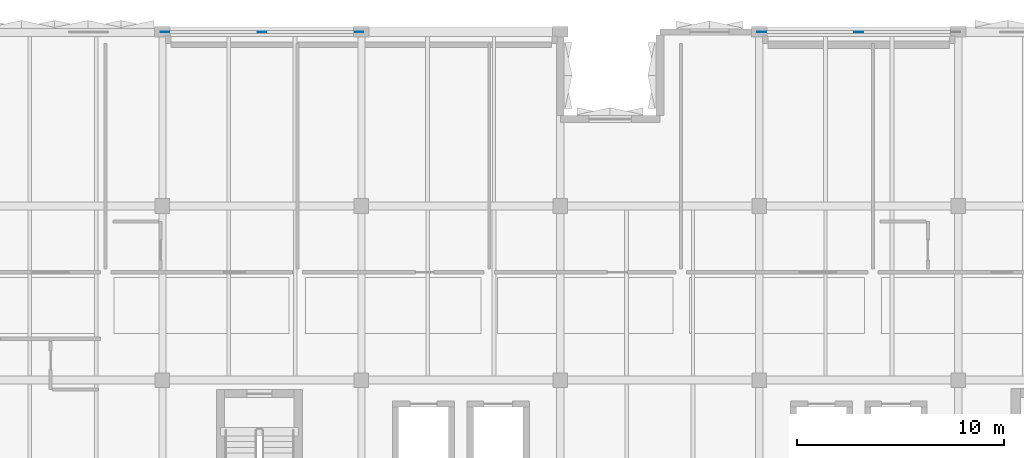
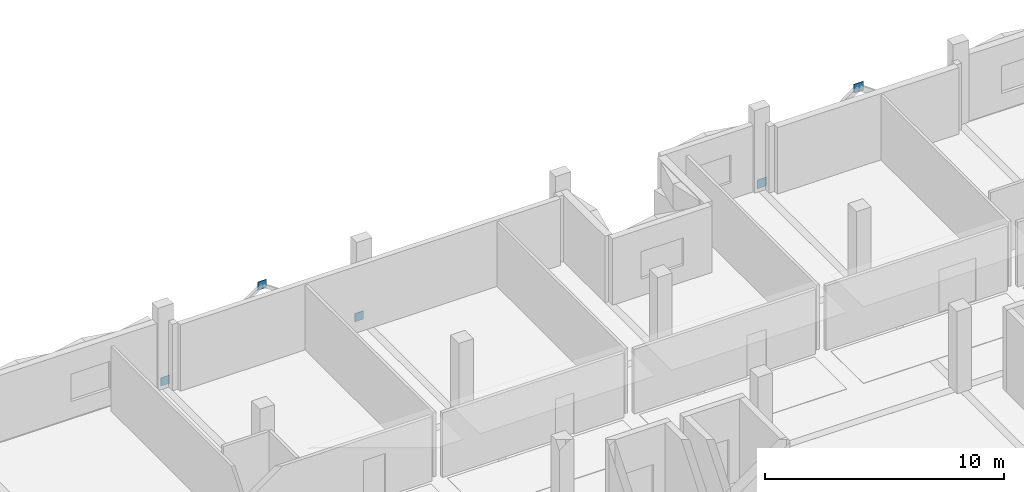
# One storey, part 10 of 24: 5 plates.
"""IFC4 building model written with IfcOpenShell, lengths in metres."""

from ifc_helpers import new_model, si_unit, direction, frame, origin, origin_2d, place, context, subcontext, project, spatial, rectangle, extrude, material, layer, layer_set, type_object, element, save


model = new_model("IFC4")

# Units and contexts
model_context = context("Model", 3, precision=1e-05, world=origin(), true_north=direction((0.0, 1.0)))
body_context = subcontext(model_context, "Body", "Model", "MODEL_VIEW")
ifc_project = project(units=[si_unit("LENGTHUNIT", "METRE"), si_unit("AREAUNIT", "SQUARE_METRE"), si_unit("VOLUMEUNIT", "CUBIC_METRE"), si_unit("PLANEANGLEUNIT", "RADIAN"), si_unit("MASSUNIT", "GRAM", prefix="KILO")], contexts=[model_context])

# Site, building, storey
site_placement = place(None, origin())
site = spatial("IfcSite", under=ifc_project, at=site_placement, CompositionType="ELEMENT")
building_placement = place(site_placement, origin())
building = spatial("IfcBuilding", under=site, at=building_placement, Name="Oolite Switchyard Hospital", CompositionType="ELEMENT")
storey_placement = place(building_placement, frame((0.0, 0.0, 22.0)))
storey = spatial("IfcBuildingStorey", under=building, at=storey_placement, Name="L05", CompositionType="ELEMENT", Elevation=22.0)

# Plates
ifc_material = material(Name="Steel ASTM A572 Grade 50", Category="steel")
ifc_layer_1 = layer(ifc_material, 0.028076171875)
ifc_layer_set_1 = layer_set([ifc_layer_1], Name="PLT-GUS-420")
plate_type_1 = type_object("IfcPlateType", Name="PLT-GUS-420", PredefinedType="SHEET", material=ifc_layer_set_1)
for number, where, z_axis, x_axis, name in (
    (1, (153.719970703125, 134.39990234375, -0.010009765625), (0.0, 0.0, 1.0), (1.0, 0.0, 0.0), "L05 Brace Base Gusset Plate 58"),
    (2, (163.080078125, 134.39990234375, -0.010009765625), (0.0, 0.0, 1.0), (1.0, 0.0, 0.0), "L05 Brace Base Gusset Plate 59"),
    (3, (158.39990234375, 134.39990234375, 3.239990234375), (0.0, 0.0, 1.0), (1.0, 0.0, 0.0), "L05 Gusset Connection Plate 60"),
):
    element("IfcPlate", number, at=place(storey_placement, frame(where, z_axis=z_axis, x_axis=x_axis)), inside=storey, type_object=plate_type_1, Name=name, PredefinedType="SHEET", context=body_context, shape_type="SweptSolid", body=[
        extrude(rectangle(XDim=0.419921875, YDim=0.028076171875, at=origin_2d()), origin(), (0.0, 0.0, 1.0), 0.419921875),
    ])
ifc_layer_2 = layer(ifc_material, 0.030029296875)
ifc_layer_set_2 = layer_set([ifc_layer_2], Name="PLT-GUS-450")
plate_type_2 = type_object("IfcPlateType", Name="PLT-GUS-450", PredefinedType="SHEET", material=ifc_layer_set_2)
for number, where, z_axis, x_axis, name in (
    (4, (182.52001953125, 134.39990234375, -0.02490234375), (0.0, 0.0, 1.0), (1.0, 0.0, 0.0), "L05 Brace Base Gusset Plate 82"),
    (5, (187.199951171875, 134.39990234375, 3.22509765625), (0.0, 0.0, 1.0), (1.0, 0.0, 0.0), "L05 Gusset Connection Plate 84"),
):
    element("IfcPlate", number, at=place(storey_placement, frame(where, z_axis=z_axis, x_axis=x_axis)), inside=storey, type_object=plate_type_2, Name=name, PredefinedType="SHEET", context=body_context, shape_type="SweptSolid", body=[
        extrude(rectangle(XDim=0.449951171875, YDim=0.030029296875, at=origin_2d()), origin(), (0.0, 0.0, 1.0), 0.449951171875),
    ])

save(model, "model.ifc")
